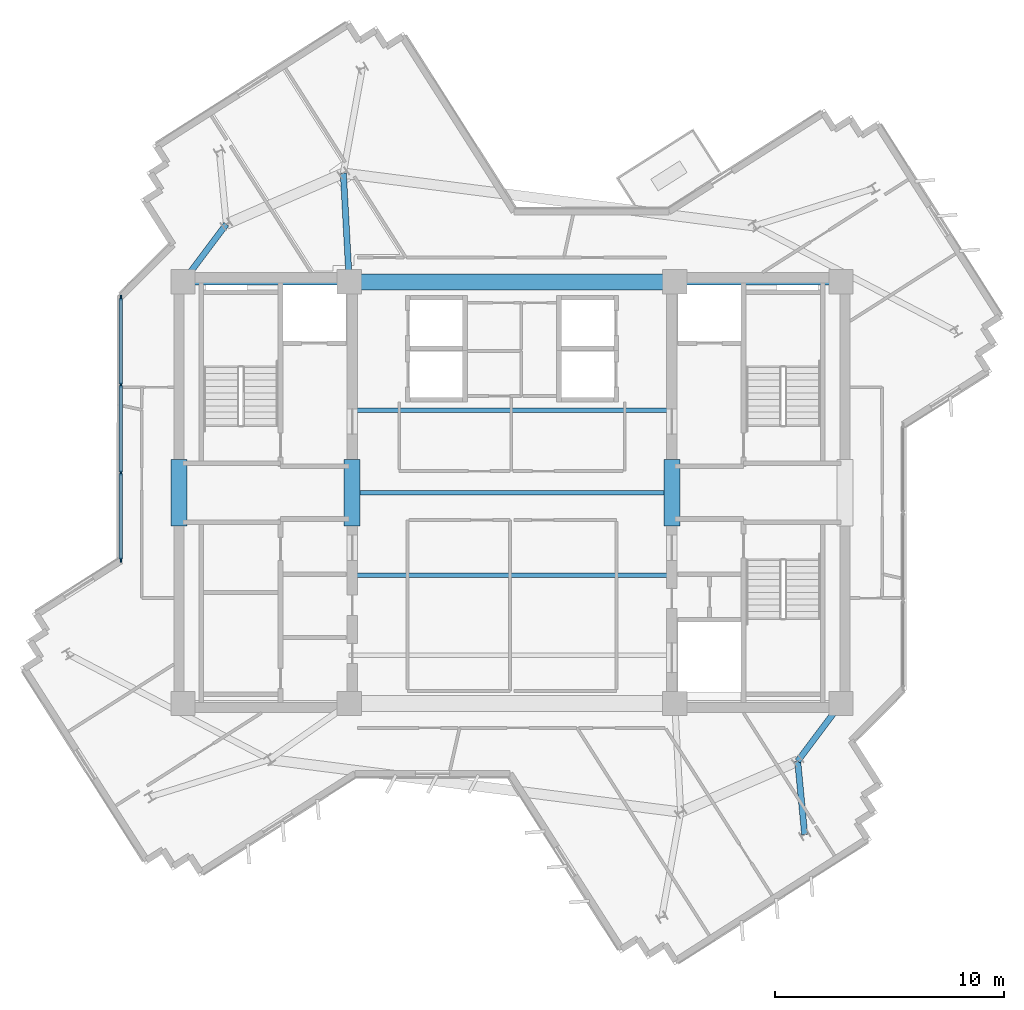
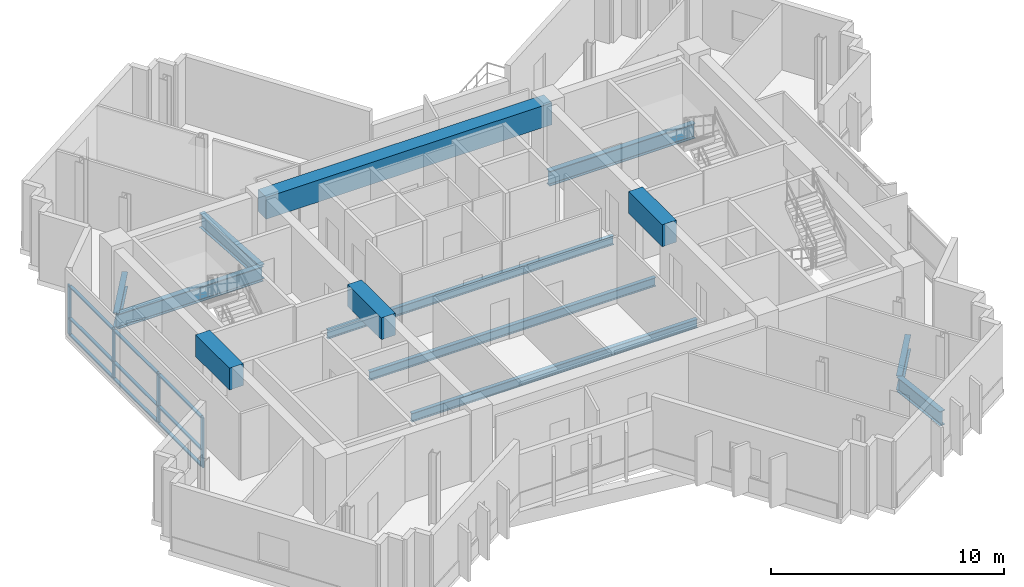
# One storey, part 2 of 12: 13 beams, 13 members, 1 element without a shape of its own.
"""IFC4 building model written with IfcOpenShell, lengths in metres."""

from ifc_helpers import new_model, si_unit, direction, frame, origin, origin_2d, place, context, subcontext, project, spatial, rectangle, i_section, extrude, source, transform, mapped, material, layer, layer_set, material_profile, profile_set, type_object, element, aggregate, save


model = new_model("IFC4")

# Units and contexts
model_context = context("Model", 3, precision=1e-05, world=origin(), true_north=direction((0.0, 1.0)))
body_context = subcontext(model_context, "Body", "Model", "MODEL_VIEW")
ifc_project = project(units=[si_unit("LENGTHUNIT", "METRE"), si_unit("AREAUNIT", "SQUARE_METRE"), si_unit("VOLUMEUNIT", "CUBIC_METRE"), si_unit("PLANEANGLEUNIT", "RADIAN"), si_unit("MASSUNIT", "GRAM", prefix="KILO")], contexts=[model_context])

# Site, building, storey
site_placement = place(None, origin())
site = spatial("IfcSite", under=ifc_project, at=site_placement, CompositionType="ELEMENT")
building_placement = place(site_placement, origin())
building = spatial("IfcBuilding", under=site, at=building_placement, Name="Zahravan Cultural Tower", CompositionType="ELEMENT")
storey_placement = place(building_placement, frame((0.0, 0.0, 261.60009765625)))
storey = spatial("IfcBuildingStorey", under=building, at=storey_placement, Name="L62", CompositionType="ELEMENT", Elevation=261.60009765625)

# Beams
ifc_material_1 = material(Name="Concrete C50/60", Category="concrete")
ifc_material_profile_1 = material_profile(ifc_material_1, rectangle(XDim=0.699951171875, YDim=1.14990234375, at=origin_2d()), Name="RC700X1150")
ifc_profile_set_1 = profile_set([ifc_material_profile_1], Name="Concrete C50/60")
beam_type_1 = type_object("IfcBeamType", Name="BM-LN-RC700X1150", PredefinedType="LINTEL", material=ifc_profile_set_1)
shared_shape_1 = source(origin(), body_context, "Body", "SweptSolid", [
    extrude(rectangle(XDim=0.699951171875, YDim=1.14990234375, at=origin_2d()), origin(), (0.0, 0.0, 1.0), 14.2001953125),
])
beam_1_placement = place(storey_placement, frame((28.89990234375, 36.199951171875, 2.9248046875), z_axis=(1.0, 0.0, 0.0), x_axis=(0.0, 1.0, 0.0)))
element("IfcBeam", 1, at=beam_1_placement, inside=storey, type_object=beam_type_1, Name="L62 Beam LN-L62-N", PredefinedType="LINTEL", context=body_context, shape_type="MappedRepresentation", body=[
    mapped(shared_shape_1, transform((0.0, 0.0, 0.0), x_axis=(1.0, 0.0, 0.0), y_axis=(0.0, 1.0, 0.0), z_axis=(0.0, 0.0, 1.0), scale=1.0)),
])
shared_shape_2 = source(origin(), body_context, "Body", "SweptSolid", [
    extrude(rectangle(XDim=0.699951171875, YDim=1.14990234375, at=origin_2d()), origin(), (0.0, 0.0, 1.0), 2.89990234375),
])
for number, where, z_axis, x_axis, name in (
    (2, (21.47509765625, 25.550048828125, 2.9248046875), (0.0, 1.0, 0.0), (-1.0, 0.0, 0.0), "L62 Beam LN-L62-PWW"),
    (3, (29.02490234375, 25.550048828125, 2.9248046875), (0.0, 1.0, 0.0), (-1.0, 0.0, 0.0), "L62 Beam LN-L62-PWE"),
    (4, (42.97509765625, 25.550048828125, 2.9248046875), (0.0, 1.0, 0.0), (-1.0, 0.0, 0.0), "L62 Beam LN-L62-PEW"),
):
    element("IfcBeam", number, at=place(storey_placement, frame(where, z_axis=z_axis, x_axis=x_axis)), inside=storey, type_object=beam_type_1, Name=name, PredefinedType="LINTEL", context=body_context, shape_type="MappedRepresentation", body=[
        mapped(shared_shape_2, transform((0.0, 0.0, 0.0), x_axis=(1.0, 0.0, 0.0), y_axis=(0.0, 1.0, 0.0), z_axis=(0.0, 0.0, 1.0), scale=1.0)),
    ])
ifc_material_2 = material(Name="Steel ASTM A992 Grade 50", Category="steel")
ifc_material_profile_2 = material_profile(ifc_material_2, i_section(OverallWidth=0.26611328125, OverallDepth=0.780029296875, WebThickness=0.0166015625, FlangeThickness=0.030029296875, FilletRadius=0.01904296875, at=origin_2d()), Name="W30X148")
ifc_profile_set_2 = profile_set([ifc_material_profile_2], Name="Steel ASTM A992 Grade 50")
beam_type_2 = type_object("IfcBeamType", Name="BM-G-W30X148", PredefinedType="BEAM", material=ifc_profile_set_2)
shared_shape_3 = source(origin(), body_context, "Body", "SweptSolid", [
    extrude(i_section(OverallWidth=0.26611328125, OverallDepth=0.780029296875, WebThickness=0.0166015625, FlangeThickness=0.030029296875, FilletRadius=0.01904296875, at=origin_2d()), origin(), (0.0, 0.0, 1.0), 7.25),
])
for number, where, z_axis, x_axis, name in (
    (5, (21.64990234375, 36.199951171875, -0.64013671875), (1.0, 0.0, 0.0), (0.0, 1.0, 0.0), "L62 Beam BG-L62-02"),
    (6, (43.10009765625, 36.199951171875, -0.64013671875), (1.0, 0.0, 0.0), (0.0, 1.0, 0.0), "L62 Beam BG-L62-05"),
):
    element("IfcBeam", number, at=place(storey_placement, frame(where, z_axis=z_axis, x_axis=x_axis)), inside=storey, type_object=beam_type_2, Name=name, PredefinedType="BEAM", context=body_context, shape_type="MappedRepresentation", body=[
        mapped(shared_shape_3, transform((0.0, 0.0, 0.0), x_axis=(1.0, 0.0, 0.0), y_axis=(0.0, 1.0, 0.0), z_axis=(0.0, 0.0, 1.0), scale=1.0)),
    ])
ifc_material_profile_3 = material_profile(ifc_material_2, i_section(OverallWidth=0.26708984375, OverallDepth=0.761962890625, WebThickness=0.014404296875, FlangeThickness=0.021484375, FilletRadius=0.01904296875, at=origin_2d()), Name="W30X116")
ifc_profile_set_3 = profile_set([ifc_material_profile_3], Name="Steel ASTM A992 Grade 50")
beam_type_3 = type_object("IfcBeamType", Name="BM-G-W30X116", PredefinedType="BEAM", material=ifc_profile_set_3)
shared_shape_4 = source(origin(), body_context, "Body", "SweptSolid", [
    extrude(i_section(OverallWidth=0.26708984375, OverallDepth=0.761962890625, WebThickness=0.014404296875, FlangeThickness=0.021484375, FilletRadius=0.01904296875, at=origin_2d()), origin(), (0.0, 0.0, 1.0), 4.744384765625),
])
beam_2_placement = place(storey_placement, frame((28.89990234375, 36.199951171875, -0.631103515625), z_axis=(-0.054238739845, 0.998527996152, 0.0), x_axis=(-0.998527996152, -0.054238739845, 0.0)))
element("IfcBeam", 7, at=beam_2_placement, inside=storey, type_object=beam_type_3, Name="L62 Beam BG-L62-10", PredefinedType="BEAM", context=body_context, shape_type="MappedRepresentation", body=[
    mapped(shared_shape_4, transform((0.0, 0.0, 0.0), x_axis=(1.0, 0.0, 0.0), y_axis=(0.0, 1.0, 0.0), z_axis=(0.0, 0.0, 1.0), scale=1.0)),
])
shared_shape_5 = source(origin(), body_context, "Body", "SweptSolid", [
    extrude(i_section(OverallWidth=0.26708984375, OverallDepth=0.761962890625, WebThickness=0.014404296875, FlangeThickness=0.021484375, FilletRadius=0.01904296875, at=origin_2d()), origin(), (0.0, 0.0, 1.0), 3.140380859375),
])
for number, where, z_axis, x_axis, name in (
    (8, (50.35009765625, 17.800048828125, -0.631103515625), (-0.600696322208, -0.799477284534, 0.0), (0.799477284534, -0.600696322208, 0.0), "L62 Beam BG-L62-09"),
    (9, (21.64990234375, 36.199951171875, -0.631103515625), (0.600696322208, 0.799477284534, 0.0), (-0.799477284534, 0.600696322208, 0.0), "L62 Beam BG-L62-11"),
):
    element("IfcBeam", number, at=place(storey_placement, frame(where, z_axis=z_axis, x_axis=x_axis)), inside=storey, type_object=beam_type_3, Name=name, PredefinedType="BEAM", context=body_context, shape_type="MappedRepresentation", body=[
        mapped(shared_shape_5, transform((0.0, 0.0, 0.0), x_axis=(1.0, 0.0, 0.0), y_axis=(0.0, 1.0, 0.0), z_axis=(0.0, 0.0, 1.0), scale=1.0)),
    ])
shared_shape_6 = source(origin(), body_context, "Body", "SweptSolid", [
    extrude(i_section(OverallWidth=0.26708984375, OverallDepth=0.761962890625, WebThickness=0.014404296875, FlangeThickness=0.021484375, FilletRadius=0.01904296875, at=origin_2d()), origin(), (0.0, 0.0, 1.0), 3.218017578125),
])
beam_3_placement = place(storey_placement, frame((48.463623046875, 15.289306640625, -0.631103515625), z_axis=(0.094454641962, -0.995529166128, 0.0), x_axis=(0.995529166128, 0.094454641962, 0.0)))
element("IfcBeam", 10, at=beam_3_placement, inside=storey, type_object=beam_type_3, Name="L62 Beam BG-L62-19", PredefinedType="BEAM", context=body_context, shape_type="MappedRepresentation", body=[
    mapped(shared_shape_6, transform((0.0, 0.0, 0.0), x_axis=(1.0, 0.0, 0.0), y_axis=(0.0, 1.0, 0.0), z_axis=(0.0, 0.0, 1.0), scale=1.0)),
])
ifc_material_profile_4 = material_profile(ifc_material_2, i_section(OverallWidth=0.18994140625, OverallDepth=0.45703125, WebThickness=0.009033203125, FlangeThickness=0.014404296875, FilletRadius=0.012939453125, at=origin_2d()), Name="W18X50")
ifc_profile_set_4 = profile_set([ifc_material_profile_4], Name="Steel ASTM A992 Grade 50")
beam_type_4 = type_object("IfcBeamType", Name="BM-J-W18X50", PredefinedType="JOIST", material=ifc_profile_set_4)
shared_shape_7 = source(origin(), body_context, "Body", "SweptSolid", [
    extrude(i_section(OverallWidth=0.18994140625, OverallDepth=0.45703125, WebThickness=0.009033203125, FlangeThickness=0.014404296875, FilletRadius=0.012939453125, at=origin_2d()), origin(), (0.0, 0.0, 1.0), 14.2001953125),
])
for number, where, z_axis, x_axis, name in (
    (11, (28.89990234375, 23.39990234375, -0.478515625), (1.0, 0.0, 0.0), (0.0, 1.0, 0.0), "L62 Beam BJ-L62-25"),
    (12, (28.89990234375, 27.0, -0.478515625), (1.0, 0.0, 0.0), (0.0, 1.0, 0.0), "L62 Beam BJ-L62-26"),
    (13, (28.89990234375, 30.60009765625, -0.478515625), (1.0, 0.0, 0.0), (0.0, 1.0, 0.0), "L62 Beam BJ-L62-27"),
):
    element("IfcBeam", number, at=place(storey_placement, frame(where, z_axis=z_axis, x_axis=x_axis)), inside=storey, type_object=beam_type_4, Name=name, PredefinedType="JOIST", context=body_context, shape_type="MappedRepresentation", body=[
        mapped(shared_shape_7, transform((0.0, 0.0, 0.0), x_axis=(1.0, 0.0, 0.0), y_axis=(0.0, 1.0, 0.0), z_axis=(0.0, 0.0, 1.0), scale=1.0)),
    ])

# Curtain wall, members
ifc_material_3 = material(Name="Anodised bronze-aluminium mullion", Category="aluminium")
ifc_layer = layer(ifc_material_3, 0.199951171875)
ifc_layer_set = layer_set([ifc_layer], Name="Anodised bronze-aluminium mullion")
curtain_wall_type = type_object("IfcCurtainWallType", Name="CW-SYS-2", PredefinedType="USERDEFINED", material=ifc_layer_set)
curtain_wall_placement = place(storey_placement, origin())
curtain_wall = element("IfcCurtainWall", 14, at=curtain_wall_placement, inside=storey, type_object=curtain_wall_type, Name="L62 Recessed Curtain Wall CW-2.2", ObjectType="RECESSED GLAZING", PredefinedType="USERDEFINED")
ifc_material_profile_5 = material_profile(ifc_material_3, rectangle(XDim=0.074951171875, YDim=0.199951171875, at=origin_2d()), Name="AL-M75X200")
ifc_profile_set_5 = profile_set([ifc_material_profile_5], Name="Anodised bronze-aluminium mullion")
member_type_1 = type_object("IfcMemberType", Name="CWM-CW-2", PredefinedType="MULLION", material=ifc_profile_set_5)
shared_shape_8 = source(origin(), body_context, "Body", "SweptSolid", [
    extrude(rectangle(XDim=0.074951171875, YDim=0.199951171875, at=origin_2d()), origin(), (0.0, 0.0, 1.0), 2.619873046875),
])
member_1_placement = place(storey_placement, frame((18.93994140625, 24.06591796875, 0.0), z_axis=(0.0, 0.0, 1.0), x_axis=(-1.0, 0.0, 0.0)))
member_1 = element("IfcMember", 15, at=member_1_placement, type_object=member_type_1, Name="CW-2 mullion 1", PredefinedType="MULLION", context=body_context, shape_type="MappedRepresentation", body=[
    mapped(shared_shape_8, transform((0.0, 0.0, 0.0), x_axis=(1.0, 0.0, 0.0), y_axis=(0.0, 1.0, 0.0), z_axis=(0.0, 0.0, 1.0), scale=1.0)),
])
member_2_placement = place(storey_placement, frame((18.93994140625, 27.8662109375, 0.0), z_axis=(0.0, 0.0, 1.0), x_axis=(-1.0, 0.0, 0.0)))
member_2 = element("IfcMember", 16, at=member_2_placement, type_object=member_type_1, Name="CW-2 mullion 2", PredefinedType="MULLION", context=body_context, shape_type="MappedRepresentation", body=[
    mapped(shared_shape_8, transform((0.0, 0.0, 0.0), x_axis=(1.0, 0.0, 0.0), y_axis=(0.0, 1.0, 0.0), z_axis=(0.0, 0.0, 1.0), scale=1.0)),
])
member_3_placement = place(storey_placement, frame((18.93994140625, 31.7041015625, 0.0), z_axis=(0.0, 0.0, 1.0), x_axis=(-1.0, 0.0, 0.0)))
member_3 = element("IfcMember", 17, at=member_3_placement, type_object=member_type_1, Name="CW-2 mullion 3", PredefinedType="MULLION", context=body_context, shape_type="MappedRepresentation", body=[
    mapped(shared_shape_8, transform((0.0, 0.0, 0.0), x_axis=(1.0, 0.0, 0.0), y_axis=(0.0, 1.0, 0.0), z_axis=(0.0, 0.0, 1.0), scale=1.0)),
])
member_4_placement = place(storey_placement, frame((18.93994140625, 35.50439453125, 0.0), z_axis=(0.0, 0.0, 1.0), x_axis=(-1.0, 0.0, 0.0)))
member_4 = element("IfcMember", 18, at=member_4_placement, type_object=member_type_1, Name="CW-2 mullion 4", PredefinedType="MULLION", context=body_context, shape_type="MappedRepresentation", body=[
    mapped(shared_shape_8, transform((0.0, 0.0, 0.0), x_axis=(1.0, 0.0, 0.0), y_axis=(0.0, 1.0, 0.0), z_axis=(0.0, 0.0, 1.0), scale=1.0)),
])
ifc_material_profile_6 = material_profile(ifc_material_3, rectangle(XDim=0.14990234375, YDim=0.074951171875, at=origin_2d()), Name="AL-T75X150")
ifc_profile_set_6 = profile_set([ifc_material_profile_6], Name="Anodised bronze-aluminium mullion")
member_type_2 = type_object("IfcMemberType", Name="CWT-CW-2", PredefinedType="USERDEFINED", material=ifc_profile_set_6)
shared_shape_9 = source(origin(), body_context, "Body", "SweptSolid", [
    extrude(rectangle(XDim=0.14990234375, YDim=0.074951171875, at=origin_2d()), origin(), (0.0, 0.0, 1.0), 3.725341796875),
])
member_5_placement = place(storey_placement, frame((18.93994140625, 24.103271484375, 0.037353515625), z_axis=(0.0, 1.0, 0.0), x_axis=(-1.0, 0.0, 0.0)))
member_5 = element("IfcMember", 19, at=member_5_placement, type_object=member_type_2, Name="CW-2 transom 1.1", ObjectType="TRANSOM", PredefinedType="USERDEFINED", context=body_context, shape_type="MappedRepresentation", body=[
    mapped(shared_shape_9, transform((0.0, 0.0, 0.0), x_axis=(1.0, 0.0, 0.0), y_axis=(0.0, 1.0, 0.0), z_axis=(0.0, 0.0, 1.0), scale=1.0)),
])
member_6_placement = place(storey_placement, frame((18.93994140625, 24.103271484375, 0.89990234375), z_axis=(0.0, 1.0, 0.0), x_axis=(-1.0, 0.0, 0.0)))
member_6 = element("IfcMember", 20, at=member_6_placement, type_object=member_type_2, Name="CW-2 transom 1.2", ObjectType="TRANSOM", PredefinedType="USERDEFINED", context=body_context, shape_type="MappedRepresentation", body=[
    mapped(shared_shape_9, transform((0.0, 0.0, 0.0), x_axis=(1.0, 0.0, 0.0), y_axis=(0.0, 1.0, 0.0), z_axis=(0.0, 0.0, 1.0), scale=1.0)),
])
member_7_placement = place(storey_placement, frame((18.93994140625, 24.103271484375, 2.58251953125), z_axis=(0.0, 1.0, 0.0), x_axis=(-1.0, 0.0, 0.0)))
member_7 = element("IfcMember", 21, at=member_7_placement, type_object=member_type_2, Name="CW-2 transom 1.3", ObjectType="TRANSOM", PredefinedType="USERDEFINED", context=body_context, shape_type="MappedRepresentation", body=[
    mapped(shared_shape_9, transform((0.0, 0.0, 0.0), x_axis=(1.0, 0.0, 0.0), y_axis=(0.0, 1.0, 0.0), z_axis=(0.0, 0.0, 1.0), scale=1.0)),
])
member_8_placement = place(storey_placement, frame((18.93994140625, 31.74169921875, 0.037353515625), z_axis=(0.0, 1.0, 0.0), x_axis=(-1.0, 0.0, 0.0)))
member_8 = element("IfcMember", 22, at=member_8_placement, type_object=member_type_2, Name="CW-2 transom 3.1", ObjectType="TRANSOM", PredefinedType="USERDEFINED", context=body_context, shape_type="MappedRepresentation", body=[
    mapped(shared_shape_9, transform((0.0, 0.0, 0.0), x_axis=(1.0, 0.0, 0.0), y_axis=(0.0, 1.0, 0.0), z_axis=(0.0, 0.0, 1.0), scale=1.0)),
])
member_9_placement = place(storey_placement, frame((18.93994140625, 31.74169921875, 0.89990234375), z_axis=(0.0, 1.0, 0.0), x_axis=(-1.0, 0.0, 0.0)))
member_9 = element("IfcMember", 23, at=member_9_placement, type_object=member_type_2, Name="CW-2 transom 3.2", ObjectType="TRANSOM", PredefinedType="USERDEFINED", context=body_context, shape_type="MappedRepresentation", body=[
    mapped(shared_shape_9, transform((0.0, 0.0, 0.0), x_axis=(1.0, 0.0, 0.0), y_axis=(0.0, 1.0, 0.0), z_axis=(0.0, 0.0, 1.0), scale=1.0)),
])
member_10_placement = place(storey_placement, frame((18.93994140625, 31.74169921875, 2.58251953125), z_axis=(0.0, 1.0, 0.0), x_axis=(-1.0, 0.0, 0.0)))
member_10 = element("IfcMember", 24, at=member_10_placement, type_object=member_type_2, Name="CW-2 transom 3.3", ObjectType="TRANSOM", PredefinedType="USERDEFINED", context=body_context, shape_type="MappedRepresentation", body=[
    mapped(shared_shape_9, transform((0.0, 0.0, 0.0), x_axis=(1.0, 0.0, 0.0), y_axis=(0.0, 1.0, 0.0), z_axis=(0.0, 0.0, 1.0), scale=1.0)),
])
shared_shape_10 = source(origin(), body_context, "Body", "SweptSolid", [
    extrude(rectangle(XDim=0.14990234375, YDim=0.074951171875, at=origin_2d()), origin(), (0.0, 0.0, 1.0), 3.7626953125),
])
member_11_placement = place(storey_placement, frame((18.93994140625, 27.90380859375, 0.037353515625), z_axis=(0.0, 1.0, 0.0), x_axis=(-1.0, 0.0, 0.0)))
member_11 = element("IfcMember", 25, at=member_11_placement, type_object=member_type_2, Name="CW-2 transom 2.1", ObjectType="TRANSOM", PredefinedType="USERDEFINED", context=body_context, shape_type="MappedRepresentation", body=[
    mapped(shared_shape_10, transform((0.0, 0.0, 0.0), x_axis=(1.0, 0.0, 0.0), y_axis=(0.0, 1.0, 0.0), z_axis=(0.0, 0.0, 1.0), scale=1.0)),
])
member_12_placement = place(storey_placement, frame((18.93994140625, 27.90380859375, 0.89990234375), z_axis=(0.0, 1.0, 0.0), x_axis=(-1.0, 0.0, 0.0)))
member_12 = element("IfcMember", 26, at=member_12_placement, type_object=member_type_2, Name="CW-2 transom 2.2", ObjectType="TRANSOM", PredefinedType="USERDEFINED", context=body_context, shape_type="MappedRepresentation", body=[
    mapped(shared_shape_10, transform((0.0, 0.0, 0.0), x_axis=(1.0, 0.0, 0.0), y_axis=(0.0, 1.0, 0.0), z_axis=(0.0, 0.0, 1.0), scale=1.0)),
])
member_13_placement = place(storey_placement, frame((18.93994140625, 27.90380859375, 2.58251953125), z_axis=(0.0, 1.0, 0.0), x_axis=(-1.0, 0.0, 0.0)))
member_13 = element("IfcMember", 27, at=member_13_placement, type_object=member_type_2, Name="CW-2 transom 2.3", ObjectType="TRANSOM", PredefinedType="USERDEFINED", context=body_context, shape_type="MappedRepresentation", body=[
    mapped(shared_shape_10, transform((0.0, 0.0, 0.0), x_axis=(1.0, 0.0, 0.0), y_axis=(0.0, 1.0, 0.0), z_axis=(0.0, 0.0, 1.0), scale=1.0)),
])
aggregate(curtain_wall, [member_1, member_2, member_3, member_4, member_5, member_6, member_7, member_11, member_12, member_13, member_8, member_9, member_10])

save(model, "model.ifc")
